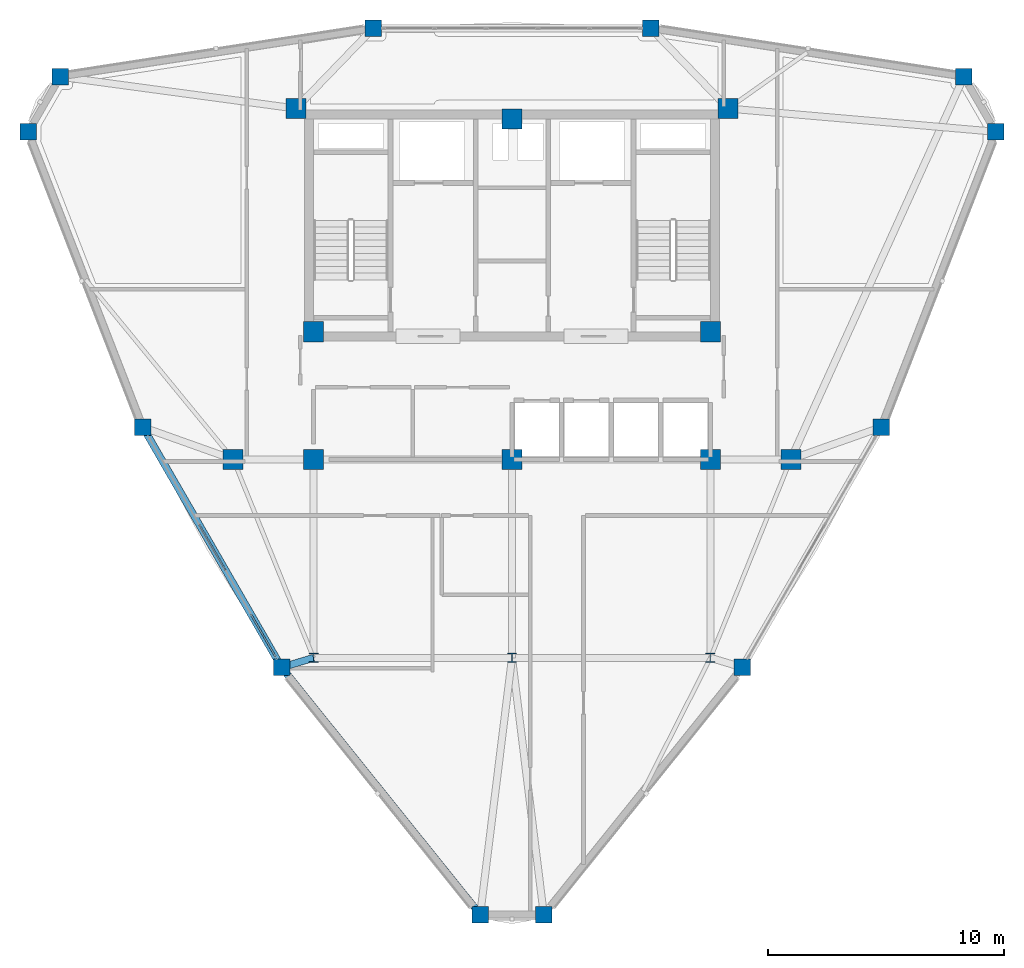
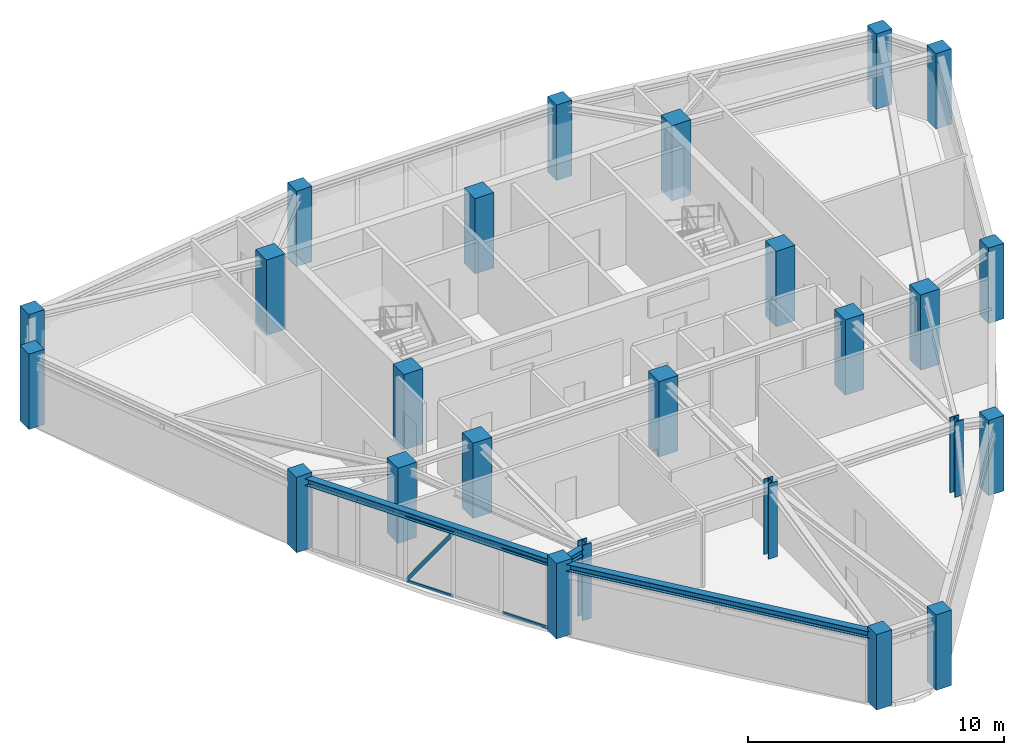
# One storey, part 1 of 15: 25 columns, 5 members, 3 beams, 1 element without a shape of its own.
"""IFC4 building model written with IfcOpenShell, lengths in metres."""

import ifcopenshell
import ifcopenshell.guid

model = None  # the IFC model being written
_history = None  # IfcOwnerHistory: only IFC2X3 demands one
_inside = {}  # id of a spatial element -> (the spatial element, [elements in it])
_under = {}  # id of a project, library or spatial element -> (it, [spatial elements below it])
_declared = {}  # id of a project -> (the project, [libraries it declares])
_typed = {}  # id of a type object -> (the type object, [elements of that type])
_made_of = {}  # id of a material, layer set ... -> (it, [elements and type objects made of it])


def new_model(schema):
    """Start an empty IFC model of exactly this schema.

    Asked for "IFC4X3", IfcOpenShell would pick the latest addendum, in which some entities
    have other attributes; the version numbers below select the first issue.
    IFC2X3 requires an IfcOwnerHistory on every rooted entity: one is made here for all.
    """
    global model, _history
    if schema == "IFC4X3":
        model = ifcopenshell.file(schema_version=(4, 3, 0, 0))
    else:
        model = ifcopenshell.file(schema=schema)
    _inside.clear()
    _under.clear()
    _declared.clear()
    _typed.clear()
    _made_of.clear()
    _history = None
    if model.schema == "IFC2X3":
        org = make("IfcOrganization", Name="unknown")
        user = make(
            "IfcPersonAndOrganization",
            ThePerson=make("IfcPerson", FamilyName="unknown"),
            TheOrganization=org,
        )
        app = make(
            "IfcApplication",
            ApplicationDeveloper=org,
            Version="unknown",
            ApplicationFullName="unknown",
            ApplicationIdentifier="unknown",
        )
        _history = make(
            "IfcOwnerHistory",
            OwningUser=user,
            OwningApplication=app,
            ChangeAction="ADDED",
            CreationDate=0,
        )
    return model


def make(cls, **values):
    """One entity of the class cls with the attributes given. An attribute that is None is left unset."""
    return model.create_entity(
        cls, **{name: value for name, value in values.items() if value is not None}
    )


def rooted(cls, **values):
    """An entity with a GlobalId (a new one), such as an element, a storey or a relation."""
    return make(cls, GlobalId=ifcopenshell.guid.new(), OwnerHistory=_history, **values)


def si_unit(unit_type, name, prefix=None):
    """IfcSIUnit, for example si_unit("LENGTHUNIT", "METRE", prefix="MILLI")."""
    return make("IfcSIUnit", UnitType=unit_type, Prefix=prefix, Name=name)


def derived_unit(unit_type, elements):
    """IfcDerivedUnit: a product of units, each with its exponent."""
    return make(
        "IfcDerivedUnit",
        Elements=[
            make("IfcDerivedUnitElement", Unit=unit, Exponent=power)
            for unit, power in elements
        ],
        UnitType=unit_type,
    )


def assignment(units):
    """IfcUnitAssignment: the units of a project."""
    return None if units is None else make("IfcUnitAssignment", Units=units)


def point(xyz):
    """IfcCartesianPoint."""
    return None if xyz is None else make("IfcCartesianPoint", Coordinates=xyz)


def direction(xyz):
    """IfcDirection."""
    return None if xyz is None else make("IfcDirection", DirectionRatios=xyz)


def frame(location, z_axis=None, x_axis=None):
    """IfcAxis2Placement3D, a coordinate frame: its origin and axes. An axis left out is left unset."""
    return make(
        "IfcAxis2Placement3D",
        Location=point(location),
        Axis=direction(z_axis),
        RefDirection=direction(x_axis),
    )


def frame_2d(location, x_axis=None):
    """IfcAxis2Placement2D, a coordinate frame in the plane: its origin and x axis."""
    return make(
        "IfcAxis2Placement2D", Location=point(location), RefDirection=direction(x_axis)
    )


def origin():
    """The frame at (0, 0, 0) with its axes left unset."""
    return frame((0.0, 0.0, 0.0))


def origin_2d():
    """The frame at (0, 0) in the plane with its x axis left unset."""
    return frame_2d((0.0, 0.0))


def place(relative_to, where):
    """IfcLocalPlacement: puts the frame where relative to a parent placement (None: the world)."""
    return make(
        "IfcLocalPlacement", PlacementRelTo=relative_to, RelativePlacement=where
    )


def context(
    kind, dimensions, precision=None, world=None, true_north=None, identifier=None
):
    """IfcGeometricRepresentationContext, for example the 3D "Model" context."""
    return make(
        "IfcGeometricRepresentationContext",
        ContextIdentifier=identifier,
        ContextType=kind,
        CoordinateSpaceDimension=dimensions,
        Precision=precision,
        WorldCoordinateSystem=world,
        TrueNorth=true_north,
    )


def subcontext(parent, identifier, kind, view, scale=None):
    """IfcGeometricRepresentationSubContext, for example "Body" below "Model"."""
    return make(
        "IfcGeometricRepresentationSubContext",
        ContextIdentifier=identifier,
        ContextType=kind,
        ParentContext=parent,
        TargetScale=scale,
        TargetView=view,
    )


def project(units=None, contexts=None):
    """IfcProject with its units and contexts."""
    return rooted(
        "IfcProject",
        Name="project",
        RepresentationContexts=contexts,
        UnitsInContext=assignment(units),
    )


def spatial(cls, under=None, at=None, **own):
    """A site, building, storey or space (cls), placed at a placement, below another one or the project."""
    s = rooted(cls, ObjectPlacement=at, **own)
    if under is not None:
        _under.setdefault(under.id(), (under, []))[1].append(s)
    return s


def profile(cls, at=None, kind="AREA", **sizes):
    """A parametric profile (cls). Its sizes go by their IFC names, for example OverallWidth=200.0."""
    return make(cls, ProfileType=kind, Position=at, **sizes)


def rectangle(**sizes):
    """IfcRectangleProfileDef."""
    return profile("IfcRectangleProfileDef", **sizes)


def hollow_rectangle(**sizes):
    """IfcRectangleHollowProfileDef."""
    return profile("IfcRectangleHollowProfileDef", **sizes)


def i_section(**sizes):
    """IfcIShapeProfileDef."""
    return profile("IfcIShapeProfileDef", **sizes)


def extrude(swept, where, along, depth):
    """IfcExtrudedAreaSolid: the profile swept, set in the frame where, extruded along a direction by depth."""
    return make(
        "IfcExtrudedAreaSolid",
        SweptArea=swept,
        Position=where,
        ExtrudedDirection=direction(along),
        Depth=depth,
    )


def shape(context_of_items, identifier, shape_type, items):
    """IfcShapeRepresentation: the items that make up one representation, for example the "Body"."""
    return make(
        "IfcShapeRepresentation",
        ContextOfItems=context_of_items,
        RepresentationIdentifier=identifier,
        RepresentationType=shape_type,
        Items=items,
    )


def source(mapping_origin, context_of_items, identifier, shape_type, items):
    """IfcRepresentationMap: a shape defined once, which mapped items show again and again."""
    return make(
        "IfcRepresentationMap",
        MappingOrigin=mapping_origin,
        MappedRepresentation=shape(context_of_items, identifier, shape_type, items),
    )


def transform(
    local_origin,
    x_axis=None,
    y_axis=None,
    z_axis=None,
    scale=None,
    scale2=None,
    scale3=None,
    uniform=True,
):
    """IfcCartesianTransformationOperator3D, or its non-uniform kind. x_axis, y_axis, z_axis: its Axis1, 2, 3."""
    if uniform:
        return make(
            "IfcCartesianTransformationOperator3D",
            Axis1=direction(x_axis),
            Axis2=direction(y_axis),
            LocalOrigin=point(local_origin),
            Scale=scale,
            Axis3=direction(z_axis),
        )
    return make(
        "IfcCartesianTransformationOperator3DnonUniform",
        Axis1=direction(x_axis),
        Axis2=direction(y_axis),
        LocalOrigin=point(local_origin),
        Scale=scale,
        Axis3=direction(z_axis),
        Scale2=scale2,
        Scale3=scale3,
    )


def mapped(mapping_source, mapping_target):
    """IfcMappedItem: shows the shape of a source again, moved by a transform."""
    return make(
        "IfcMappedItem", MappingSource=mapping_source, MappingTarget=mapping_target
    )


def material(Name=None, Category=None):
    """IfcMaterial."""
    return make("IfcMaterial", Name=Name, Category=Category)


def layer(
    of_material, thickness, ventilated=None, Name=None, Category=None, Priority=None
):
    """IfcMaterialLayer: one layer of a wall or slab, of a material (None: an air gap)."""
    return make(
        "IfcMaterialLayer",
        Material=of_material,
        LayerThickness=thickness,
        IsVentilated=ventilated,
        Name=Name,
        Category=Category,
        Priority=Priority,
    )


def layer_set(layers, Name=None):
    """IfcMaterialLayerSet."""
    return make("IfcMaterialLayerSet", MaterialLayers=layers, LayerSetName=Name)


def material_profile(
    of_material, cross_section, Name=None, Category=None, Priority=None
):
    """IfcMaterialProfile: a cross section and its material."""
    return make(
        "IfcMaterialProfile",
        Name=Name,
        Material=of_material,
        Profile=cross_section,
        Priority=Priority,
        Category=Category,
    )


def profile_set(profiles, Name=None, composite=None):
    """IfcMaterialProfileSet."""
    return make(
        "IfcMaterialProfileSet",
        Name=Name,
        MaterialProfiles=profiles,
        CompositeProfile=composite,
    )


def made_of(thing, what):
    """Note that an element or type object is made of a material, layer set ...; save() writes the relation."""
    if what is not None:
        _made_of.setdefault(what.id(), (what, []))[1].append(thing)
    return thing


def type_object(cls, material=None, **own):
    """A type object (cls), such as IfcWallType, which elements share."""
    return made_of(rooted(cls, **own), material)


def element(
    cls,
    number,
    at=None,
    inside=None,
    cuts=None,
    type_object=None,
    material=None,
    context=None,
    identifier="Body",
    shape_type=None,
    held_by="IfcProductDefinitionShape",
    body=None,
    shapes=None,
    **own,
):
    """One element of the class cls, such as IfcWall. Its Tag is "e" and its number.

    at: its placement. inside: the storey or other place that contains it. cuts: it is an
    opening in that element (IfcRelVoidsElement). A single representation is given by context,
    identifier, shape_type and body (its items); several are given by shapes. held_by: the class
    of the entity that holds the representations. save() writes the other relations.
    """
    e = rooted(cls, Tag="e%d" % number, ObjectPlacement=at, **own)
    if body is not None:
        shapes = [shape(context, identifier, shape_type, body)]
    if shapes is not None:
        e.Representation = make(held_by, Representations=shapes)
    if inside is not None:
        _inside.setdefault(inside.id(), (inside, []))[1].append(e)
    if cuts is not None:
        rooted(
            "IfcRelVoidsElement", RelatingBuildingElement=cuts, RelatedOpeningElement=e
        )
    if type_object is not None:
        _typed.setdefault(type_object.id(), (type_object, []))[1].append(e)
    return made_of(e, material)


def aggregate(whole, parts):
    """IfcRelAggregates: a whole, such as a stair, and the parts it consists of."""
    return rooted("IfcRelAggregates", RelatingObject=whole, RelatedObjects=parts)


def save(model, path):
    """Write the relations noted so far, then the file.

    IfcRelAggregates (storeys below a building ...), IfcRelContainedInSpatialStructure (elements
    in a storey), IfcRelDefinesByType, IfcRelAssociatesMaterial and IfcRelDeclares: one each for
    every whole, place, type object, material and project.
    """
    for whole, parts in _under.values():
        aggregate(whole, parts)
    for where, things in _inside.values():
        rooted(
            "IfcRelContainedInSpatialStructure",
            RelatedElements=things,
            RelatingStructure=where,
        )
    for kind, things in _typed.values():
        rooted("IfcRelDefinesByType", RelatedObjects=things, RelatingType=kind)
    for what, things in _made_of.values():
        rooted("IfcRelAssociatesMaterial", RelatedObjects=things, RelatingMaterial=what)
    for by, libraries in _declared.values():
        rooted("IfcRelDeclares", RelatingContext=by, RelatedDefinitions=libraries)
    model.write(path)


model = new_model("IFC4")

# Units and contexts
model_context = context("Model", 3, precision=1e-05, world=origin(), true_north=direction((0.0, 1.0)))
body_context = subcontext(model_context, "Body", "Model", "MODEL_VIEW")
ifc_project = project(units=[si_unit("LENGTHUNIT", "METRE"), si_unit("AREAUNIT", "SQUARE_METRE"), si_unit("VOLUMEUNIT", "CUBIC_METRE"), si_unit("PLANEANGLEUNIT", "RADIAN"), si_unit("MASSUNIT", "GRAM", prefix="KILO"), derived_unit("THERMALTRANSMITTANCEUNIT", [(si_unit("POWERUNIT", "WATT"), 1), (si_unit("LENGTHUNIT", "METRE"), -2), (si_unit("THERMODYNAMICTEMPERATUREUNIT", "KELVIN"), -1)])], contexts=[model_context])

# Site, building, storey
site_placement = place(None, origin())
site = spatial("IfcSite", under=ifc_project, at=site_placement, CompositionType="ELEMENT")
building_placement = place(site_placement, origin())
building = spatial("IfcBuilding", under=site, at=building_placement, Name="Korsvarv Bourse and Concert Hall", CompositionType="ELEMENT")
storey_placement = place(building_placement, frame((0.0, 0.0, 268.199951171875)))
storey = spatial("IfcBuildingStorey", under=building, at=storey_placement, Name="L70", CompositionType="ELEMENT", Elevation=268.199951171875)

# Columns
ifc_material_1 = material(Name="Concrete C50/60", Category="concrete")
ifc_material_profile_1 = material_profile(ifc_material_1, rectangle(XDim=0.85009765625, YDim=0.85009765625, at=origin_2d()), Name="RC 850x850")
ifc_profile_set_1 = profile_set([ifc_material_profile_1], Name="Concrete C50/60")
column_type_1 = type_object("IfcColumnType", Name="COL-RC850", PredefinedType="COLUMN", material=ifc_profile_set_1)
shared_shape_1 = source(origin(), body_context, "Body", "SweptSolid", [
    extrude(rectangle(XDim=0.85009765625, YDim=0.85009765625, at=origin_2d()), origin(), (0.0, 0.0, 1.0), 3.60009765625),
])
for number, where, z_axis, x_axis, name in (
    (1, (26.85009765625, 47.25, 0.0), (0.0, 0.0, 1.0), (1.0, 0.0, 0.0), "L70 column C-04"),
    (2, (45.14990234375, 47.25, 0.0), (0.0, 0.0, 1.0), (1.0, 0.0, 0.0), "L70 column C-04"),
    (3, (27.60009765625, 37.800048828125, 0.0), (0.0, 0.0, 1.0), (1.0, 0.0, 0.0), "L70 column C-04"),
    (4, (44.39990234375, 37.800048828125, 0.0), (0.0, 0.0, 1.0), (1.0, 0.0, 0.0), "L70 column C-04"),
    (5, (27.60009765625, 32.39990234375, 0.0), (0.0, 0.0, 1.0), (1.0, 0.0, 0.0), "L70 column C-04"),
    (6, (44.39990234375, 32.39990234375, 0.0), (0.0, 0.0, 1.0), (1.0, 0.0, 0.0), "L70 column C-04"),
    (7, (36.0, 46.800048828125, 0.0), (0.0, 0.0, 1.0), (1.0, 0.0, 0.0), "L70 column C-04"),
    (8, (36.0, 32.39990234375, 0.0), (0.0, 0.0, 1.0), (1.0, 0.0, 0.0), "L70 column C-04"),
    (9, (24.199951171875, 32.39990234375, 0.0), (0.0, 0.0, 1.0), (1.0, 0.0, 0.0), "L70 column C-04"),
    (10, (47.800048828125, 32.39990234375, 0.0), (0.0, 0.0, 1.0), (1.0, 0.0, 0.0), "L70 column C-04"),
):
    element("IfcColumn", number, at=place(storey_placement, frame(where, z_axis=z_axis, x_axis=x_axis)), inside=storey, type_object=column_type_1, Name=name, PredefinedType="COLUMN", context=body_context, shape_type="MappedRepresentation", body=[
        mapped(shared_shape_1, transform((0.0, 0.0, 0.0), scale=1.0)),
    ])
ifc_material_2 = material(Name="Steel S355", Category="steel")
ifc_material_profile_2 = material_profile(ifc_material_2, i_section(OverallWidth=0.40087890625, OverallDepth=0.39892578125, WebThickness=0.0224609375, FlangeThickness=0.035888671875, FilletRadius=0.014892578125, at=origin_2d()), Name="HD 400x314")
ifc_profile_set_2 = profile_set([ifc_material_profile_2], Name="Steel S355")
column_type_2 = type_object("IfcColumnType", Name="COL-HD314", PredefinedType="COLUMN", material=ifc_profile_set_2)
shared_shape_2 = source(origin(), body_context, "Body", "SweptSolid", [
    extrude(i_section(OverallWidth=0.40087890625, OverallDepth=0.39892578125, WebThickness=0.0224609375, FlangeThickness=0.035888671875, FilletRadius=0.014892578125, at=origin_2d()), origin(), (0.0, 0.0, 1.0), 3.60009765625),
])
for number, where, z_axis, x_axis, name in (
    (11, (27.60009765625, 24.0, 0.0), (0.0, 0.0, 1.0), (1.0, 0.0, 0.0), "L70 column C-11"),
    (12, (44.39990234375, 24.0, 0.0), (0.0, 0.0, 1.0), (1.0, 0.0, 0.0), "L70 column C-11"),
    (13, (36.0, 24.0, 0.0), (0.0, 0.0, 1.0), (1.0, 0.0, 0.0), "L70 column C-11"),
):
    element("IfcColumn", number, at=place(storey_placement, frame(where, z_axis=z_axis, x_axis=x_axis)), inside=storey, type_object=column_type_2, Name=name, PredefinedType="COLUMN", context=body_context, shape_type="MappedRepresentation", body=[
        mapped(shared_shape_2, transform((0.0, 0.0, 0.0), scale=1.0)),
    ])
ifc_material_profile_3 = material_profile(ifc_material_1, rectangle(XDim=0.699951171875, YDim=0.699951171875, at=origin_2d()), Name="RC 700x700")
ifc_profile_set_3 = profile_set([ifc_material_profile_3], Name="Concrete C50/60")
column_type_3 = type_object("IfcColumnType", Name="COL-RC700", PredefinedType="COLUMN", material=ifc_profile_set_3)
shared_shape_3 = source(origin(), body_context, "Body", "SweptSolid", [
    extrude(rectangle(XDim=0.699951171875, YDim=0.699951171875, at=origin_2d()), origin(), (0.0, 0.0, 1.0), 3.60009765625),
])
for number, where, z_axis, x_axis, name in (
    (14, (56.47412109375, 46.266357421875, 0.0), (0.0, 0.0, 1.0), (1.0, 0.0, 0.0), "L70 column C-05"),
    (15, (55.1279296875, 48.597900390625, 0.0), (0.0, 0.0, 1.0), (1.0, 0.0, 0.0), "L70 column C-05"),
    (16, (41.869384765625, 50.646728515625, 0.0), (0.0, 0.0, 1.0), (1.0, 0.0, 0.0), "L70 column C-05"),
    (17, (30.130615234375, 50.646728515625, 0.0), (0.0, 0.0, 1.0), (1.0, 0.0, 0.0), "L70 column C-05"),
    (18, (16.8720703125, 48.597900390625, 0.0), (0.0, 0.0, 1.0), (1.0, 0.0, 0.0), "L70 column C-05"),
    (19, (15.52587890625, 46.266357421875, 0.0), (0.0, 0.0, 1.0), (1.0, 0.0, 0.0), "L70 column C-05"),
    (20, (20.380859375, 33.759765625, 0.0), (0.0, 0.0, 1.0), (1.0, 0.0, 0.0), "L70 column C-05"),
    (21, (26.250244140625, 23.593505859375, 0.0), (0.0, 0.0, 1.0), (1.0, 0.0, 0.0), "L70 column C-05"),
    (22, (34.65380859375, 13.135498046875, 0.0), (0.0, 0.0, 1.0), (1.0, 0.0, 0.0), "L70 column C-05"),
    (23, (37.34619140625, 13.135498046875, 0.0), (0.0, 0.0, 1.0), (1.0, 0.0, 0.0), "L70 column C-05"),
    (24, (45.749755859375, 23.593505859375, 0.0), (0.0, 0.0, 1.0), (1.0, 0.0, 0.0), "L70 column C-05"),
    (25, (51.619140625, 33.759765625, 0.0), (0.0, 0.0, 1.0), (1.0, 0.0, 0.0), "L70 column C-05"),
):
    element("IfcColumn", number, at=place(storey_placement, frame(where, z_axis=z_axis, x_axis=x_axis)), inside=storey, type_object=column_type_3, Name=name, PredefinedType="COLUMN", context=body_context, shape_type="MappedRepresentation", body=[
        mapped(shared_shape_3, transform((0.0, 0.0, 0.0), scale=1.0)),
    ])

# Beams
ifc_material_profile_4 = material_profile(ifc_material_2, i_section(OverallWidth=0.300048828125, OverallDepth=0.330078125, WebThickness=0.009521484375, FlangeThickness=0.0166015625, FilletRadius=0.02099609375, at=origin_2d()), Name="HEA 340")
ifc_profile_set_4 = profile_set([ifc_material_profile_4], Name="Steel S355")
beam_type = type_object("IfcBeamType", Name="BM-HEA340", PredefinedType="BEAM", material=ifc_profile_set_4)
shared_shape_4 = source(origin(), body_context, "Body", "SweptSolid", [
    extrude(i_section(OverallWidth=0.300048828125, OverallDepth=0.330078125, WebThickness=0.009521484375, FlangeThickness=0.0166015625, FilletRadius=0.02099609375, at=origin_2d()), origin(), (0.0, 0.0, 1.0), 13.416015625),
])
beam_1_placement = place(storey_placement, frame((26.250244140625, 23.593505859375, 3.2451171875), z_axis=(0.626382420215, -0.779515916223, 0.0), x_axis=(0.779515916223, 0.626382420215, 0.0)))
element("IfcBeam", 26, at=beam_1_placement, inside=storey, type_object=beam_type, Name="L70 beam B-12", PredefinedType="BEAM", context=body_context, shape_type="MappedRepresentation", body=[
    mapped(shared_shape_4, transform((0.0, 0.0, 0.0), scale=1.0)),
])
shared_shape_5 = source(origin(), body_context, "Body", "SweptSolid", [
    extrude(i_section(OverallWidth=0.300048828125, OverallDepth=0.330078125, WebThickness=0.009521484375, FlangeThickness=0.0166015625, FilletRadius=0.02099609375, at=origin_2d()), origin(), (0.0, 0.0, 1.0), 11.739013671875),
])
beam_2_placement = place(storey_placement, frame((20.380859375, 33.759765625, 3.2451171875), z_axis=(0.499993096883, -0.866029389264, 0.0), x_axis=(0.866029389264, 0.499993096883, 0.0)))
element("IfcBeam", 27, at=beam_2_placement, inside=storey, type_object=beam_type, Name="L70 beam B-12", PredefinedType="BEAM", context=body_context, shape_type="MappedRepresentation", body=[
    mapped(shared_shape_5, transform((0.0, 0.0, 0.0), scale=1.0)),
])
shared_shape_6 = source(origin(), body_context, "Body", "SweptSolid", [
    extrude(i_section(OverallWidth=0.300048828125, OverallDepth=0.330078125, WebThickness=0.009521484375, FlangeThickness=0.0166015625, FilletRadius=0.02099609375, at=origin_2d()), origin(), (0.0, 0.0, 1.0), 1.40966796875),
])
beam_3_placement = place(storey_placement, frame((26.250244140625, 23.593505859375, 3.2451171875), z_axis=(0.957525473457, 0.288348691139, 0.0), x_axis=(-0.288348691139, 0.957525473457, 0.0)))
element("IfcBeam", 28, at=beam_3_placement, inside=storey, type_object=beam_type, Name="L70 beam B-12", PredefinedType="BEAM", context=body_context, shape_type="MappedRepresentation", body=[
    mapped(shared_shape_6, transform((0.0, 0.0, 0.0), scale=1.0)),
])

# Curtain wall, members
ifc_material_3 = material(Name="Anodised aluminium and triple low-E glazing", Category="glass")
ifc_layer = layer(ifc_material_3, 0.199951171875)
ifc_layer_set = layer_set([ifc_layer], Name="Anodised aluminium and triple low-E glazing")
curtain_wall_type = type_object("IfcCurtainWallType", Name="CW-SYS-3", PredefinedType="NOTDEFINED", material=ifc_layer_set)
curtain_wall_placement = place(storey_placement, origin())
curtain_wall = element("IfcCurtainWall", 29, at=curtain_wall_placement, inside=storey, type_object=curtain_wall_type, Name="L70 CW3 curtain wall CW-L70-F07", PredefinedType="NOTDEFINED")
ifc_material_4 = material(Name="Extruded aluminium EN AW-6063 T66", Category="aluminium")
ifc_material_profile_5 = material_profile(ifc_material_4, hollow_rectangle(XDim=0.06494140625, YDim=0.139892578125, WallThickness=0.00390625, at=origin_2d()), Name="ALU-T 65x140")
ifc_profile_set_5 = profile_set([ifc_material_profile_5], Name="Extruded aluminium EN AW-6063 T66")
member_type_1 = type_object("IfcMemberType", Name="CWT-140", PredefinedType="USERDEFINED", material=ifc_profile_set_5)
shared_shape_7 = source(origin(), body_context, "Body", "SweptSolid", [
    extrude(hollow_rectangle(XDim=0.06494140625, YDim=0.139892578125, WallThickness=0.00390625, at=origin_2d()), origin(), (0.0, 0.0, 1.0), 2.057861328125),
])
member_1_placement = place(storey_placement, frame((24.955322265625, 25.83642578125, 0.032470703125), z_axis=(0.500030520673, -0.866007781949, 0.0), x_axis=(0.866007781949, 0.500030520673, 0.0)))
member_1 = element("IfcMember", 30, at=member_1_placement, type_object=member_type_1, Name="CW3 transom 5.1", ObjectType="TRANSOM", PredefinedType="USERDEFINED", context=body_context, shape_type="MappedRepresentation", body=[
    mapped(shared_shape_7, transform((0.0, 0.0, 0.0), scale=1.0)),
])
member_2_placement = place(storey_placement, frame((24.955322265625, 25.83642578125, 3.047607421875), z_axis=(0.500030520673, -0.866007781949, 0.0), x_axis=(0.866007781949, 0.500030520673, 0.0)))
member_2 = element("IfcMember", 31, at=member_2_placement, type_object=member_type_1, Name="CW3 transom 5.2", ObjectType="TRANSOM", PredefinedType="USERDEFINED", context=body_context, shape_type="MappedRepresentation", body=[
    mapped(shared_shape_7, transform((0.0, 0.0, 0.0), scale=1.0)),
])
shared_shape_8 = source(origin(), body_context, "Body", "SweptSolid", [
    extrude(hollow_rectangle(XDim=0.06494140625, YDim=0.139892578125, WallThickness=0.00390625, at=origin_2d()), origin(), (0.0, 0.0, 1.0), 2.09326171875),
])
member_3_placement = place(storey_placement, frame((22.792236328125, 29.5830078125, 0.032470703125), z_axis=(0.5000152428, -0.866016603171, 0.0), x_axis=(0.866016603171, 0.5000152428, 0.0)))
member_3 = element("IfcMember", 32, at=member_3_placement, type_object=member_type_1, Name="CW3 transom 3.1", ObjectType="TRANSOM", PredefinedType="USERDEFINED", context=body_context, shape_type="MappedRepresentation", body=[
    mapped(shared_shape_8, transform((0.0, 0.0, 0.0), scale=1.0)),
])
member_4_placement = place(storey_placement, frame((22.792236328125, 29.5830078125, 3.047607421875), z_axis=(0.5000152428, -0.866016603171, 0.0), x_axis=(0.866016603171, 0.5000152428, 0.0)))
member_4 = element("IfcMember", 33, at=member_4_placement, type_object=member_type_1, Name="CW3 transom 3.2", ObjectType="TRANSOM", PredefinedType="USERDEFINED", context=body_context, shape_type="MappedRepresentation", body=[
    mapped(shared_shape_8, transform((0.0, 0.0, 0.0), scale=1.0)),
])
ifc_material_profile_6 = material_profile(ifc_material_4, hollow_rectangle(XDim=0.06494140625, YDim=0.1650390625, WallThickness=0.0048828125, at=origin_2d()), Name="ALU-M 65x165")
ifc_profile_set_6 = profile_set([ifc_material_profile_6], Name="Extruded aluminium EN AW-6063 T66")
member_type_2 = type_object("IfcMemberType", Name="CWM-165", PredefinedType="MULLION", material=ifc_profile_set_6)
shared_shape_9 = source(origin(), body_context, "Body", "SweptSolid", [
    extrude(hollow_rectangle(XDim=0.06494140625, YDim=0.1650390625, WallThickness=0.0048828125, at=origin_2d()), origin(), (0.0, 0.0, 1.0), 3.617431640625),
])
member_5_placement = place(storey_placement, frame((22.792236328125, 29.5830078125, 0.06494140625), z_axis=(0.289337361704, -0.50112664116, 0.815570953775), x_axis=(0.866016603171, 0.5000152428, 0.0)))
member_5 = element("IfcMember", 34, at=member_5_placement, type_object=member_type_2, Name="CW3 diagonal mullion 3", PredefinedType="MULLION", context=body_context, shape_type="MappedRepresentation", body=[
    mapped(shared_shape_9, transform((0.0, 0.0, 0.0), scale=1.0)),
])
aggregate(curtain_wall, [member_3, member_4, member_5, member_1, member_2])

save(model, "model.ifc")
